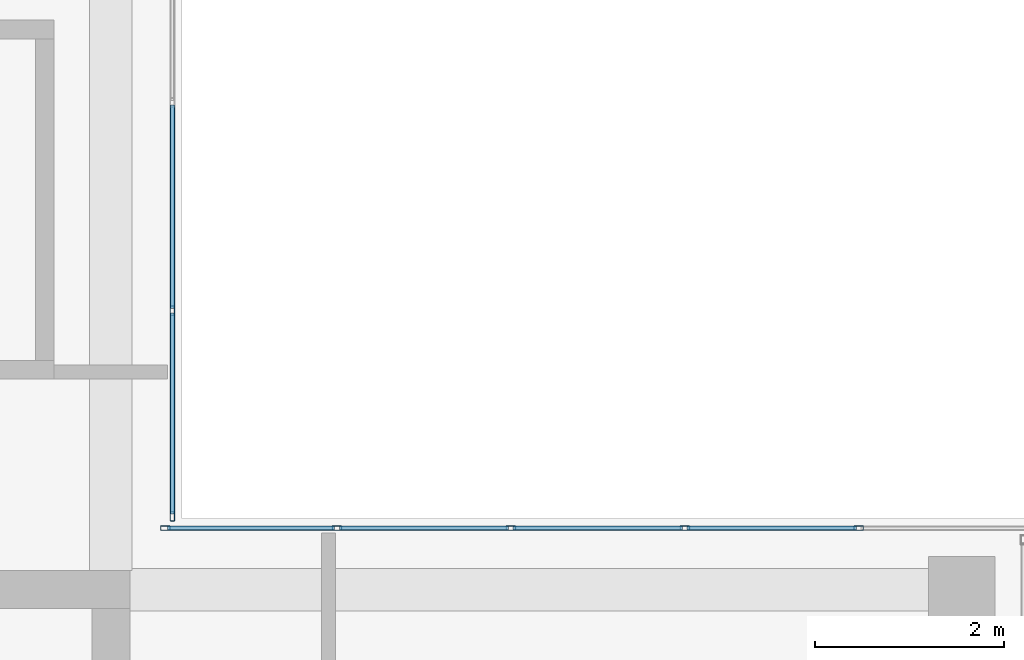
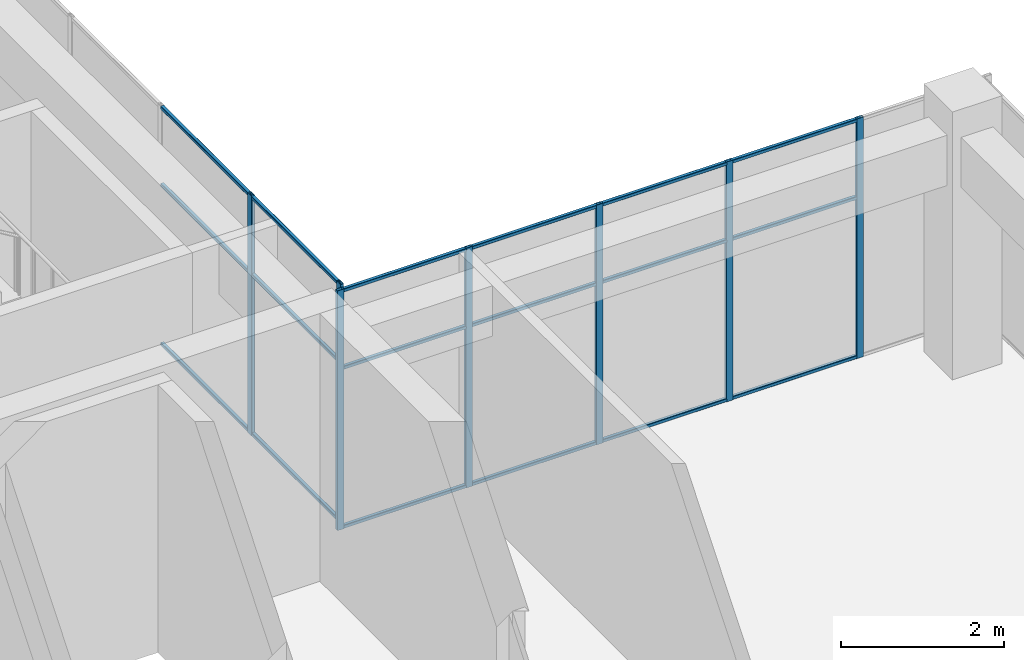
# One storey, part 16 of 32: 25 members, 2 elements without a shape of their own.
"""IFC4 building model written with IfcOpenShell, lengths in metres."""

from ifc_helpers import new_model, si_unit, direction, frame, origin, origin_2d, place, context, subcontext, project, spatial, hollow_rectangle, extrude, material, layer, layer_set, material_profile, profile_set, type_object, element, aggregate, save


model = new_model("IFC4")

# Units and contexts
model_context = context("Model", 3, precision=1e-05, world=origin(), true_north=direction((0.0, 1.0)))
body_context = subcontext(model_context, "Body", "Model", "MODEL_VIEW")
ifc_project = project(units=[si_unit("LENGTHUNIT", "METRE"), si_unit("AREAUNIT", "SQUARE_METRE"), si_unit("VOLUMEUNIT", "CUBIC_METRE"), si_unit("PLANEANGLEUNIT", "RADIAN"), si_unit("MASSUNIT", "GRAM", prefix="KILO")], contexts=[model_context])

# Site, building, storey
site_placement = place(None, origin())
site = spatial("IfcSite", under=ifc_project, at=site_placement, CompositionType="ELEMENT")
building_placement = place(site_placement, origin())
building = spatial("IfcBuilding", under=site, at=building_placement, Name="Tuart Plaza Theatre", CompositionType="ELEMENT")
storey_placement = place(building_placement, frame((0.0, 0.0, 37.5)))
storey = spatial("IfcBuildingStorey", under=building, at=storey_placement, Name="L09", CompositionType="ELEMENT", Elevation=37.5)

# Curtain wall, members
ifc_material_1 = material(Name="Aluminium and glass", Category="aluminium")
ifc_layer = layer(ifc_material_1, 0.10009765625)
ifc_layer_set = layer_set([ifc_layer], Name="CURTAIN WALL 2000 module")
curtain_wall_type = type_object("IfcCurtainWallType", Name="CURTAIN WALL 2000 module", PredefinedType="NOTDEFINED", material=ifc_layer_set)
curtain_wall_1_placement = place(storey_placement, origin())
curtain_wall_1 = element("IfcCurtainWall", 1, at=curtain_wall_1_placement, inside=storey, type_object=curtain_wall_type, Name="CW93", PredefinedType="NOTDEFINED")
ifc_material_2 = material(Name="Aluminium 6063-T5", Category="aluminium")
ifc_material_profile_1 = material_profile(ifc_material_2, hollow_rectangle(XDim=0.050048828125, YDim=0.10009765625, WallThickness=0.00390625, InnerFilletRadius=0.00390625, OuterFilletRadius=0.008056640625, at=origin_2d()), Name="RHS 100x50x4")
ifc_profile_set_1 = profile_set([ifc_material_profile_1], Name="Aluminium 6063-T5")
member_type_1 = type_object("IfcMemberType", Name="MULLION RHS 100x50x4", PredefinedType="MULLION", material=ifc_profile_set_1)
member_1_placement = place(storey_placement, frame((148.909912109375, 83.64990234375, 0.0), z_axis=(0.0, 0.0, 1.0), x_axis=(0.0, -1.0, 0.0)))
member_1 = element("IfcMember", 2, at=member_1_placement, type_object=member_type_1, Name="CW93 mullion 2", PredefinedType="MULLION", context=body_context, shape_type="SweptSolid", body=[
    extrude(hollow_rectangle(XDim=0.050048828125, YDim=0.10009765625, WallThickness=0.00390625, InnerFilletRadius=0.00390625, OuterFilletRadius=0.008056640625, at=origin_2d()), origin(), (0.0, 0.0, 1.0), 3.580078125),
])
member_2_placement = place(storey_placement, frame((147.070068359375, 83.64990234375, 0.0), z_axis=(0.0, 0.0, 1.0), x_axis=(0.0, -1.0, 0.0)))
member_2 = element("IfcMember", 3, at=member_2_placement, type_object=member_type_1, Name="CW93 mullion 3", PredefinedType="MULLION", context=body_context, shape_type="SweptSolid", body=[
    extrude(hollow_rectangle(XDim=0.050048828125, YDim=0.10009765625, WallThickness=0.00390625, InnerFilletRadius=0.00390625, OuterFilletRadius=0.008056640625, at=origin_2d()), origin(), (0.0, 0.0, 1.0), 3.580078125),
])
member_3_placement = place(storey_placement, frame((145.22998046875, 83.64990234375, 0.0), z_axis=(0.0, 0.0, 1.0), x_axis=(0.0, -1.0, 0.0)))
member_3 = element("IfcMember", 4, at=member_3_placement, type_object=member_type_1, Name="CW93 mullion 4", PredefinedType="MULLION", context=body_context, shape_type="SweptSolid", body=[
    extrude(hollow_rectangle(XDim=0.050048828125, YDim=0.10009765625, WallThickness=0.00390625, InnerFilletRadius=0.00390625, OuterFilletRadius=0.008056640625, at=origin_2d()), origin(), (0.0, 0.0, 1.0), 3.580078125),
])
member_4_placement = place(storey_placement, frame((143.389892578125, 83.64990234375, 0.0), z_axis=(0.0, 0.0, 1.0), x_axis=(0.0, -1.0, 0.0)))
member_4 = element("IfcMember", 5, at=member_4_placement, type_object=member_type_1, Name="CW93 mullion 5", PredefinedType="MULLION", context=body_context, shape_type="SweptSolid", body=[
    extrude(hollow_rectangle(XDim=0.050048828125, YDim=0.10009765625, WallThickness=0.00390625, InnerFilletRadius=0.00390625, OuterFilletRadius=0.008056640625, at=origin_2d()), origin(), (0.0, 0.0, 1.0), 3.580078125),
])
member_5_placement = place(storey_placement, frame((141.574951171875, 83.64990234375, 0.0), z_axis=(0.0, 0.0, 1.0), x_axis=(0.0, -1.0, 0.0)))
member_5 = element("IfcMember", 6, at=member_5_placement, type_object=member_type_1, Name="CW93 mullion 6", PredefinedType="MULLION", context=body_context, shape_type="SweptSolid", body=[
    extrude(hollow_rectangle(XDim=0.050048828125, YDim=0.10009765625, WallThickness=0.00390625, InnerFilletRadius=0.00390625, OuterFilletRadius=0.008056640625, at=origin_2d()), origin(), (0.0, 0.0, 1.0), 3.580078125),
])

curtain_wall_2_placement = place(storey_placement, origin())
curtain_wall_2 = element("IfcCurtainWall", 7, at=curtain_wall_2_placement, inside=storey, type_object=curtain_wall_type, Name="CW94", PredefinedType="NOTDEFINED")
member_6_placement = place(storey_placement, frame((141.64990234375, 83.77490234375, 0.0), z_axis=(0.0, 0.0, 1.0), x_axis=(-1.0, 0.0, 0.0)))
member_6 = element("IfcMember", 8, at=member_6_placement, type_object=member_type_1, Name="CW94 mullion 1", PredefinedType="MULLION", context=body_context, shape_type="SweptSolid", body=[
    extrude(hollow_rectangle(XDim=0.050048828125, YDim=0.10009765625, WallThickness=0.00390625, InnerFilletRadius=0.00390625, OuterFilletRadius=0.008056640625, at=origin_2d()), origin(), (0.0, 0.0, 1.0), 3.580078125),
])
member_7_placement = place(storey_placement, frame((141.64990234375, 85.949951171875, 0.0), z_axis=(0.0, 0.0, 1.0), x_axis=(-1.0, 0.0, 0.0)))
member_7 = element("IfcMember", 9, at=member_7_placement, type_object=member_type_1, Name="CW94 mullion 2", PredefinedType="MULLION", context=body_context, shape_type="SweptSolid", body=[
    extrude(hollow_rectangle(XDim=0.050048828125, YDim=0.10009765625, WallThickness=0.00390625, InnerFilletRadius=0.00390625, OuterFilletRadius=0.008056640625, at=origin_2d()), origin(), (0.0, 0.0, 1.0), 3.580078125),
])

# Member
ifc_material_3 = material(Name="Aluminium 6063-T5", Category="aluminium")
ifc_material_profile_2 = material_profile(ifc_material_3, hollow_rectangle(XDim=0.050048828125, YDim=0.050048828125, WallThickness=0.00390625, InnerFilletRadius=0.00390625, OuterFilletRadius=0.008056640625, at=origin_2d()), Name="RHS 50x50x4")
ifc_profile_set_2 = profile_set([ifc_material_profile_2], Name="Aluminium 6063-T5")
member_type_2 = type_object("IfcMemberType", Name="TRANSOM RHS 50x50x4", PredefinedType="USERDEFINED", material=ifc_profile_set_2)
member_8_placement = place(storey_placement, frame((148.885009765625, 83.64990234375, 0.02490234375), z_axis=(-1.0, 0.0, 0.0), x_axis=(0.0, -1.0, 0.0)))
member_8 = element("IfcMember", 10, at=member_8_placement, type_object=member_type_2, Name="CW93 transom 2.1", ObjectType="TRANSOM", PredefinedType="USERDEFINED", context=body_context, shape_type="SweptSolid", body=[
    extrude(hollow_rectangle(XDim=0.050048828125, YDim=0.050048828125, WallThickness=0.00390625, InnerFilletRadius=0.00390625, OuterFilletRadius=0.008056640625, at=origin_2d()), origin(), (0.0, 0.0, 1.0), 1.7900390625),
])

member_9_placement = place(storey_placement, frame((148.885009765625, 83.64990234375, 2.39990234375), z_axis=(-1.0, 0.0, 0.0), x_axis=(0.0, -1.0, 0.0)))
member_9 = element("IfcMember", 11, at=member_9_placement, type_object=member_type_2, Name="CW93 transom 2.2", ObjectType="TRANSOM", PredefinedType="USERDEFINED", context=body_context, shape_type="SweptSolid", body=[
    extrude(hollow_rectangle(XDim=0.050048828125, YDim=0.050048828125, WallThickness=0.00390625, InnerFilletRadius=0.00390625, OuterFilletRadius=0.008056640625, at=origin_2d()), origin(), (0.0, 0.0, 1.0), 1.7900390625),
])

member_10_placement = place(storey_placement, frame((148.885009765625, 83.64990234375, 3.554931640625), z_axis=(-1.0, 0.0, 0.0), x_axis=(0.0, -1.0, 0.0)))
member_10 = element("IfcMember", 12, at=member_10_placement, type_object=member_type_2, Name="CW93 transom 2.3", ObjectType="TRANSOM", PredefinedType="USERDEFINED", context=body_context, shape_type="SweptSolid", body=[
    extrude(hollow_rectangle(XDim=0.050048828125, YDim=0.050048828125, WallThickness=0.00390625, InnerFilletRadius=0.00390625, OuterFilletRadius=0.008056640625, at=origin_2d()), origin(), (0.0, 0.0, 1.0), 1.7900390625),
])

member_11_placement = place(storey_placement, frame((147.044921875, 83.64990234375, 0.02490234375), z_axis=(-1.0, 0.0, 0.0), x_axis=(0.0, -1.0, 0.0)))
member_11 = element("IfcMember", 13, at=member_11_placement, type_object=member_type_2, Name="CW93 transom 3.1", ObjectType="TRANSOM", PredefinedType="USERDEFINED", context=body_context, shape_type="SweptSolid", body=[
    extrude(hollow_rectangle(XDim=0.050048828125, YDim=0.050048828125, WallThickness=0.00390625, InnerFilletRadius=0.00390625, OuterFilletRadius=0.008056640625, at=origin_2d()), origin(), (0.0, 0.0, 1.0), 1.7900390625),
])

member_12_placement = place(storey_placement, frame((147.044921875, 83.64990234375, 2.39990234375), z_axis=(-1.0, 0.0, 0.0), x_axis=(0.0, -1.0, 0.0)))
member_12 = element("IfcMember", 14, at=member_12_placement, type_object=member_type_2, Name="CW93 transom 3.2", ObjectType="TRANSOM", PredefinedType="USERDEFINED", context=body_context, shape_type="SweptSolid", body=[
    extrude(hollow_rectangle(XDim=0.050048828125, YDim=0.050048828125, WallThickness=0.00390625, InnerFilletRadius=0.00390625, OuterFilletRadius=0.008056640625, at=origin_2d()), origin(), (0.0, 0.0, 1.0), 1.7900390625),
])

member_13_placement = place(storey_placement, frame((147.044921875, 83.64990234375, 3.554931640625), z_axis=(-1.0, 0.0, 0.0), x_axis=(0.0, -1.0, 0.0)))
member_13 = element("IfcMember", 15, at=member_13_placement, type_object=member_type_2, Name="CW93 transom 3.3", ObjectType="TRANSOM", PredefinedType="USERDEFINED", context=body_context, shape_type="SweptSolid", body=[
    extrude(hollow_rectangle(XDim=0.050048828125, YDim=0.050048828125, WallThickness=0.00390625, InnerFilletRadius=0.00390625, OuterFilletRadius=0.008056640625, at=origin_2d()), origin(), (0.0, 0.0, 1.0), 1.7900390625),
])

member_14_placement = place(storey_placement, frame((145.205078125, 83.64990234375, 0.02490234375), z_axis=(-1.0, 0.0, 0.0), x_axis=(0.0, -1.0, 0.0)))
member_14 = element("IfcMember", 16, at=member_14_placement, type_object=member_type_2, Name="CW93 transom 4.1", ObjectType="TRANSOM", PredefinedType="USERDEFINED", context=body_context, shape_type="SweptSolid", body=[
    extrude(hollow_rectangle(XDim=0.050048828125, YDim=0.050048828125, WallThickness=0.00390625, InnerFilletRadius=0.00390625, OuterFilletRadius=0.008056640625, at=origin_2d()), origin(), (0.0, 0.0, 1.0), 1.7900390625),
])

member_15_placement = place(storey_placement, frame((145.205078125, 83.64990234375, 2.39990234375), z_axis=(-1.0, 0.0, 0.0), x_axis=(0.0, -1.0, 0.0)))
member_15 = element("IfcMember", 17, at=member_15_placement, type_object=member_type_2, Name="CW93 transom 4.2", ObjectType="TRANSOM", PredefinedType="USERDEFINED", context=body_context, shape_type="SweptSolid", body=[
    extrude(hollow_rectangle(XDim=0.050048828125, YDim=0.050048828125, WallThickness=0.00390625, InnerFilletRadius=0.00390625, OuterFilletRadius=0.008056640625, at=origin_2d()), origin(), (0.0, 0.0, 1.0), 1.7900390625),
])

member_16_placement = place(storey_placement, frame((145.205078125, 83.64990234375, 3.554931640625), z_axis=(-1.0, 0.0, 0.0), x_axis=(0.0, -1.0, 0.0)))
member_16 = element("IfcMember", 18, at=member_16_placement, type_object=member_type_2, Name="CW93 transom 4.3", ObjectType="TRANSOM", PredefinedType="USERDEFINED", context=body_context, shape_type="SweptSolid", body=[
    extrude(hollow_rectangle(XDim=0.050048828125, YDim=0.050048828125, WallThickness=0.00390625, InnerFilletRadius=0.00390625, OuterFilletRadius=0.008056640625, at=origin_2d()), origin(), (0.0, 0.0, 1.0), 1.7900390625),
])

member_17_placement = place(storey_placement, frame((143.364990234375, 83.64990234375, 0.02490234375), z_axis=(-1.0, 0.0, 0.0), x_axis=(0.0, -1.0, 0.0)))
member_17 = element("IfcMember", 19, at=member_17_placement, type_object=member_type_2, Name="CW93 transom 5.1", ObjectType="TRANSOM", PredefinedType="USERDEFINED", context=body_context, shape_type="SweptSolid", body=[
    extrude(hollow_rectangle(XDim=0.050048828125, YDim=0.050048828125, WallThickness=0.00390625, InnerFilletRadius=0.00390625, OuterFilletRadius=0.008056640625, at=origin_2d()), origin(), (0.0, 0.0, 1.0), 1.764892578125),
])

member_18_placement = place(storey_placement, frame((143.364990234375, 83.64990234375, 2.39990234375), z_axis=(-1.0, 0.0, 0.0), x_axis=(0.0, -1.0, 0.0)))
member_18 = element("IfcMember", 20, at=member_18_placement, type_object=member_type_2, Name="CW93 transom 5.2", ObjectType="TRANSOM", PredefinedType="USERDEFINED", context=body_context, shape_type="SweptSolid", body=[
    extrude(hollow_rectangle(XDim=0.050048828125, YDim=0.050048828125, WallThickness=0.00390625, InnerFilletRadius=0.00390625, OuterFilletRadius=0.008056640625, at=origin_2d()), origin(), (0.0, 0.0, 1.0), 1.764892578125),
])

member_19_placement = place(storey_placement, frame((143.364990234375, 83.64990234375, 3.554931640625), z_axis=(-1.0, 0.0, 0.0), x_axis=(0.0, -1.0, 0.0)))
member_19 = element("IfcMember", 21, at=member_19_placement, type_object=member_type_2, Name="CW93 transom 5.3", ObjectType="TRANSOM", PredefinedType="USERDEFINED", context=body_context, shape_type="SweptSolid", body=[
    extrude(hollow_rectangle(XDim=0.050048828125, YDim=0.050048828125, WallThickness=0.00390625, InnerFilletRadius=0.00390625, OuterFilletRadius=0.008056640625, at=origin_2d()), origin(), (0.0, 0.0, 1.0), 1.764892578125),
])

aggregate(curtain_wall_1, [member_1, member_2, member_3, member_4, member_5, member_8, member_9, member_10, member_11, member_12, member_13, member_14, member_15, member_16, member_17, member_18, member_19])

member_20_placement = place(storey_placement, frame((141.64990234375, 83.800048828125, 0.02490234375), z_axis=(0.0, 1.0, 0.0), x_axis=(-1.0, 0.0, 0.0)))
member_20 = element("IfcMember", 22, at=member_20_placement, type_object=member_type_2, Name="CW94 transom 1.1", ObjectType="TRANSOM", PredefinedType="USERDEFINED", context=body_context, shape_type="SweptSolid", body=[
    extrude(hollow_rectangle(XDim=0.050048828125, YDim=0.050048828125, WallThickness=0.00390625, InnerFilletRadius=0.00390625, OuterFilletRadius=0.008056640625, at=origin_2d()), origin(), (0.0, 0.0, 1.0), 2.125),
])

member_21_placement = place(storey_placement, frame((141.64990234375, 83.800048828125, 2.39990234375), z_axis=(0.0, 1.0, 0.0), x_axis=(-1.0, 0.0, 0.0)))
member_21 = element("IfcMember", 23, at=member_21_placement, type_object=member_type_2, Name="CW94 transom 1.2", ObjectType="TRANSOM", PredefinedType="USERDEFINED", context=body_context, shape_type="SweptSolid", body=[
    extrude(hollow_rectangle(XDim=0.050048828125, YDim=0.050048828125, WallThickness=0.00390625, InnerFilletRadius=0.00390625, OuterFilletRadius=0.008056640625, at=origin_2d()), origin(), (0.0, 0.0, 1.0), 2.125),
])

member_22_placement = place(storey_placement, frame((141.64990234375, 83.800048828125, 3.554931640625), z_axis=(0.0, 1.0, 0.0), x_axis=(-1.0, 0.0, 0.0)))
member_22 = element("IfcMember", 24, at=member_22_placement, type_object=member_type_2, Name="CW94 transom 1.3", ObjectType="TRANSOM", PredefinedType="USERDEFINED", context=body_context, shape_type="SweptSolid", body=[
    extrude(hollow_rectangle(XDim=0.050048828125, YDim=0.050048828125, WallThickness=0.00390625, InnerFilletRadius=0.00390625, OuterFilletRadius=0.008056640625, at=origin_2d()), origin(), (0.0, 0.0, 1.0), 2.125),
])

member_23_placement = place(storey_placement, frame((141.64990234375, 85.97509765625, 0.02490234375), z_axis=(0.0, 1.0, 0.0), x_axis=(-1.0, 0.0, 0.0)))
member_23 = element("IfcMember", 25, at=member_23_placement, type_object=member_type_2, Name="CW94 transom 2.1", ObjectType="TRANSOM", PredefinedType="USERDEFINED", context=body_context, shape_type="SweptSolid", body=[
    extrude(hollow_rectangle(XDim=0.050048828125, YDim=0.050048828125, WallThickness=0.00390625, InnerFilletRadius=0.00390625, OuterFilletRadius=0.008056640625, at=origin_2d()), origin(), (0.0, 0.0, 1.0), 2.14990234375),
])

member_24_placement = place(storey_placement, frame((141.64990234375, 85.97509765625, 2.39990234375), z_axis=(0.0, 1.0, 0.0), x_axis=(-1.0, 0.0, 0.0)))
member_24 = element("IfcMember", 26, at=member_24_placement, type_object=member_type_2, Name="CW94 transom 2.2", ObjectType="TRANSOM", PredefinedType="USERDEFINED", context=body_context, shape_type="SweptSolid", body=[
    extrude(hollow_rectangle(XDim=0.050048828125, YDim=0.050048828125, WallThickness=0.00390625, InnerFilletRadius=0.00390625, OuterFilletRadius=0.008056640625, at=origin_2d()), origin(), (0.0, 0.0, 1.0), 2.14990234375),
])

member_25_placement = place(storey_placement, frame((141.64990234375, 85.97509765625, 3.554931640625), z_axis=(0.0, 1.0, 0.0), x_axis=(-1.0, 0.0, 0.0)))
member_25 = element("IfcMember", 27, at=member_25_placement, type_object=member_type_2, Name="CW94 transom 2.3", ObjectType="TRANSOM", PredefinedType="USERDEFINED", context=body_context, shape_type="SweptSolid", body=[
    extrude(hollow_rectangle(XDim=0.050048828125, YDim=0.050048828125, WallThickness=0.00390625, InnerFilletRadius=0.00390625, OuterFilletRadius=0.008056640625, at=origin_2d()), origin(), (0.0, 0.0, 1.0), 2.14990234375),
])

aggregate(curtain_wall_2, [member_6, member_7, member_20, member_21, member_22, member_23, member_24, member_25])

save(model, "model.ifc")
